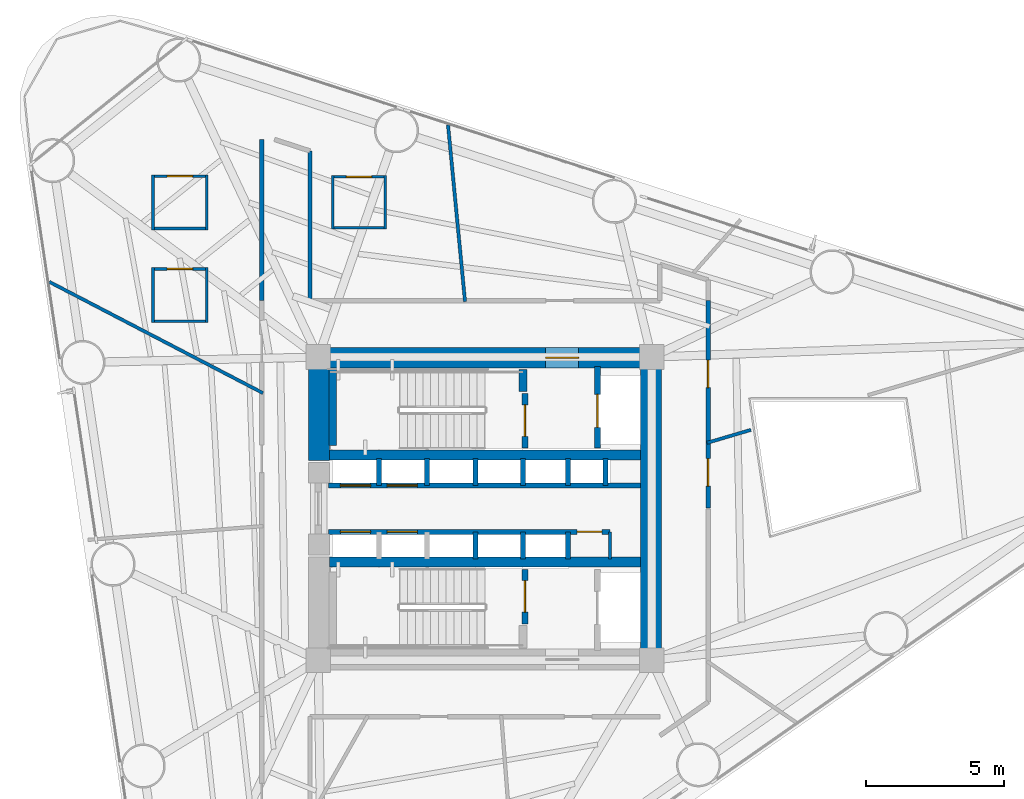
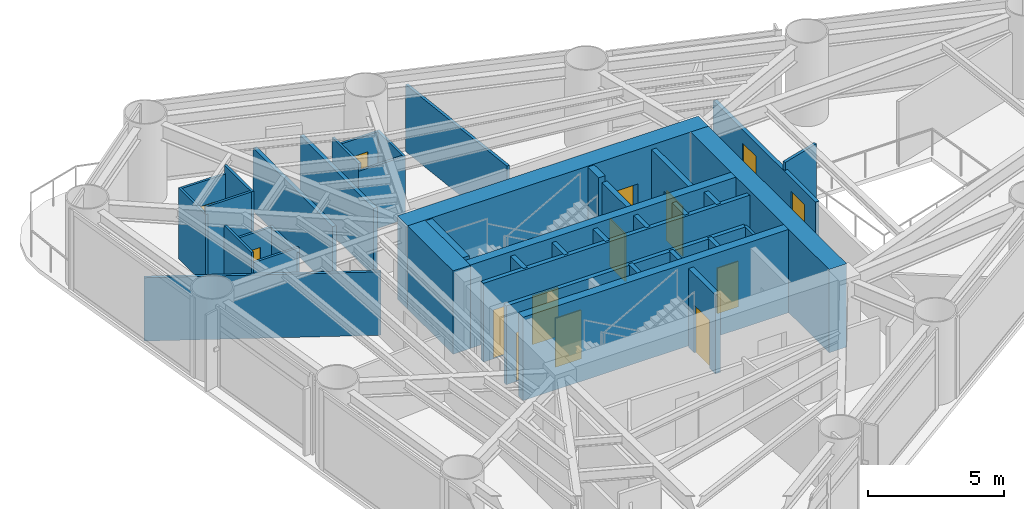
# One storey, part 6 of 9: 40 walls, 14 doors, 14 openings.
"""IFC4 building model written with IfcOpenShell, lengths in metres."""

from ifc_helpers import new_model, si_unit, direction, frame, frame_2d, origin, place, context, subcontext, project, spatial, rectangle, extrude, material, layer, layer_set, type_object, element, fill, save


model = new_model("IFC4")

# Units and contexts
model_context = context("Model", 3, precision=1e-05, world=origin(), true_north=direction((0.0, 1.0)))
body_context = subcontext(model_context, "Body", "Model", "MODEL_VIEW")
ifc_project = project(units=[si_unit("LENGTHUNIT", "METRE"), si_unit("AREAUNIT", "SQUARE_METRE"), si_unit("VOLUMEUNIT", "CUBIC_METRE"), si_unit("PLANEANGLEUNIT", "RADIAN"), si_unit("MASSUNIT", "GRAM", prefix="KILO")], contexts=[model_context])

# Site, building, storey
site_placement = place(None, origin())
site = spatial("IfcSite", under=ifc_project, at=site_placement, CompositionType="ELEMENT")
building_placement = place(site_placement, origin())
building = spatial("IfcBuilding", under=site, at=building_placement, Name="Yunling Apex Tower", CompositionType="ELEMENT")
storey_placement = place(building_placement, frame((0.0, 0.0, 69.800048828125)))
storey = spatial("IfcBuildingStorey", under=building, at=storey_placement, Name="L18", CompositionType="ELEMENT", Elevation=69.800048828125)

# Wall, opening, door
ifc_material_1 = material(Name="Concrete C60", Category="concrete")
ifc_layer_1 = layer(ifc_material_1, 0.75)
ifc_layer_set_1 = layer_set([ifc_layer_1], Name="Concrete C60")
wall_type_1 = type_object("IfcWallType", Name="WL-COR-1", PredefinedType="SHEAR", material=ifc_layer_set_1)
wall_1_placement = place(storey_placement, frame((-6.39990234375, 5.47509765625, 0.0), z_axis=(0.0, 0.0, 1.0), x_axis=(1.0, 0.0, 0.0)))
wall_1 = element("IfcWall", 1, at=wall_1_placement, inside=storey, type_object=wall_type_1, Name="L18 North Core Shear Wall", PredefinedType="SHEAR", context=body_context, shape_type="SweptSolid", body=[
    extrude(rectangle(XDim=12.7998046875, YDim=0.75, at=frame_2d((6.39990234375, 0.0))), origin(), (0.0, 0.0, 1.0), 3.75),
])
opening_1_placement = place(wall_1_placement, frame((8.60009765625, 0.0, 0.0)))
opening_1 = element("IfcOpeningElement", 2, at=opening_1_placement, cuts=wall_1, Name="Opening DR-FFL-1", PredefinedType="OPENING", context=body_context, shape_type="SweptSolid", body=[
    extrude(rectangle(XDim=1.199951171875, YDim=2.199951171875, at=frame_2d((0.60009765625, 1.10009765625))), frame((0.0, 0.385009765625, 0.0), z_axis=(0.0, -1.0, 0.0), x_axis=(1.0, 0.0, 0.0)), (0.0, 0.0, 1.0), 0.77001953125),
])
ifc_material_2 = material(Name="Steel Q355B", Category="steel")
door_type_1 = type_object("IfcDoorType", Name="DR-FFL-1", OperationType="NOTDEFINED", PredefinedType="DOOR", material=ifc_material_2)
door_1_placement = place(opening_1_placement, origin())
door_1 = element("IfcDoor", 3, at=door_1_placement, inside=storey, type_object=door_type_1, Name="L18 North Firefighting Lobby Door", OperationType="SINGLE_SWING_LEFT", OverallHeight=2.199951171875, OverallWidth=1.199951171875, PredefinedType="DOOR", context=body_context, shape_type="SweptSolid", body=[
    extrude(rectangle(XDim=1.199951171875, YDim=2.199951171875, at=frame_2d((0.60009765625, 1.10009765625))), frame((0.0, 0.02490234375, 0.0), z_axis=(0.0, -1.0, 0.0), x_axis=(1.0, 0.0, 0.0)), (0.0, 0.0, 1.0), 0.050048828125),
])
fill(opening_1, door_1)

# Walls
wall_2_placement = place(storey_placement, frame((6.02490234375, -5.10009765625, 0.0), z_axis=(0.0, 0.0, 1.0), x_axis=(0.0, 1.0, 0.0)))
element("IfcWall", 4, at=wall_2_placement, inside=storey, type_object=wall_type_1, Name="L18 East Core Shear Wall", PredefinedType="SHEAR", context=body_context, shape_type="SweptSolid", body=[
    extrude(rectangle(XDim=10.2001953125, YDim=0.75, at=frame_2d((5.10009765625, 0.0))), origin(), (0.0, 0.0, 1.0), 3.75),
])
wall_3_placement = place(storey_placement, frame((-6.02490234375, 1.75, 0.0), z_axis=(0.0, 0.0, 1.0), x_axis=(0.0, 1.0, 0.0)))
element("IfcWall", 5, at=wall_3_placement, inside=storey, type_object=wall_type_1, Name="L18 West-North Core Shear Wall", PredefinedType="SHEAR", context=body_context, shape_type="SweptSolid", body=[
    extrude(rectangle(XDim=3.35009765625, YDim=0.75, at=frame_2d((1.675048828125, 0.0))), origin(), (0.0, 0.0, 1.0), 3.75),
])
ifc_material_3 = material(Name="Concrete C40", Category="concrete")
ifc_layer_2 = layer(ifc_material_3, 0.360107421875)
ifc_layer_set_2 = layer_set([ifc_layer_2], Name="Concrete C40")
wall_type_2 = type_object("IfcWallType", Name="WL-COR-4", PredefinedType="SHEAR", material=ifc_layer_set_2)
for number, where, z_axis, x_axis, name in (
    (6, (-5.64990234375, 1.93994140625, 0.0), (0.0, 0.0, 1.0), (1.0, 0.0, 0.0), "L18 North Internal Core Shear Wall"),
    (7, (-5.64990234375, -1.93994140625, 0.0), (0.0, 0.0, 1.0), (1.0, 0.0, 0.0), "L18 South Internal Core Shear Wall"),
):
    element("IfcWall", number, at=place(storey_placement, frame(where, z_axis=z_axis, x_axis=x_axis)), inside=storey, type_object=wall_type_2, Name=name, PredefinedType="SHEAR", context=body_context, shape_type="SweptSolid", body=[
        extrude(rectangle(XDim=11.2998046875, YDim=0.360107421875, at=frame_2d((5.64990234375, 0.0))), origin(), (0.0, 0.0, 1.0), 3.75),
    ])
ifc_layer_3 = layer(ifc_material_3, 0.280029296875)
ifc_layer_set_3 = layer_set([ifc_layer_3], Name="Concrete C40")
wall_type_3 = type_object("IfcWallType", Name="WL-COR-8", PredefinedType="SHEAR", material=ifc_layer_set_3)
wall_4_placement = place(storey_placement, frame((-5.52001953125, 2.300048828125, 0.0), z_axis=(0.0, 0.0, 1.0), x_axis=(0.0, 1.0, 0.0)))
element("IfcWall", 8, at=wall_4_placement, inside=storey, type_object=wall_type_3, Name="L18 ST-1 West Landing Bearing Wall", PredefinedType="SHEAR", context=body_context, shape_type="SweptSolid", body=[
    extrude(rectangle(XDim=2.75, YDim=0.280029296875, at=frame_2d((1.375, 0.0))), origin(), (0.0, 0.0, 1.0), 3.75),
])
wall_5_placement = place(storey_placement, frame((1.3798828125, 4.25, 0.0), z_axis=(0.0, 0.0, 1.0), x_axis=(0.0, 1.0, 0.0)))
element("IfcWall", 9, at=wall_5_placement, inside=storey, type_object=wall_type_3, Name="L18 ST-1 East Landing Bearing Pier", PredefinedType="SHEAR", context=body_context, shape_type="SweptSolid", body=[
    extrude(rectangle(XDim=0.800048828125, YDim=0.280029296875, at=frame_2d((0.39990234375, 0.0))), origin(), (0.0, 0.0, 1.0), 3.75),
])
ifc_material_4 = material(Name="Gypsum board acoustic partition")
ifc_layer_4 = layer(ifc_material_4, 0.159912109375)
ifc_layer_set_4 = layer_set([ifc_layer_4], Name="Gypsum board acoustic partition")
wall_type_4 = type_object("IfcWallType", Name="WL-PRT-1", PredefinedType="PARTITIONING", material=ifc_layer_set_4)
wall_6_placement = place(storey_placement, frame((-8.10009765625, 7.550048828125, 0.0), z_axis=(0.0, 0.0, 1.0), x_axis=(0.0, 1.0, 0.0)))
element("IfcWall", 10, at=wall_6_placement, inside=storey, type_object=wall_type_4, Name="WL-CORR-L18-03", PredefinedType="PARTITIONING", context=body_context, shape_type="SweptSolid", body=[
    extrude(rectangle(XDim=5.849853515625, YDim=0.159912109375, at=frame_2d((2.9248046875, 0.0))), origin(), (0.0, 0.0, 1.0), 2.849853515625),
])
wall_7_placement = place(storey_placement, frame((-6.35009765625, 12.9814453125, 0.0), z_axis=(0.0, 0.0, 1.0), x_axis=(0.0, -1.0, 0.0)))
element("IfcWall", 11, at=wall_7_placement, inside=storey, type_object=wall_type_4, Name="WL-CORR-L18-06", PredefinedType="PARTITIONING", context=body_context, shape_type="SweptSolid", body=[
    extrude(rectangle(XDim=5.431396484375, YDim=0.159912109375, at=frame_2d((2.7158203125, 0.0))), origin(), (0.0, 0.0, 1.0), 3.050048828125),
])

# Wall, openings, doors
wall_8_placement = place(storey_placement, frame((8.10009765625, 7.550048828125, 0.0), z_axis=(0.0, 0.0, 1.0), x_axis=(0.0, -1.0, 0.0)))
wall_8 = element("IfcWall", 12, at=wall_8_placement, inside=storey, type_object=wall_type_4, Name="WL-CORR-L18-11", PredefinedType="PARTITIONING", context=body_context, shape_type="SweptSolid", body=[
    extrude(rectangle(XDim=7.530029296875, YDim=0.159912109375, at=frame_2d((3.76513671875, 0.0))), origin(), (0.0, 0.0, 1.0), 2.849853515625),
])
opening_2_placement = place(wall_8_placement, frame((2.156005859375, 0.0, 0.0)))
opening_2 = element("IfcOpeningElement", 13, at=opening_2_placement, cuts=wall_8, Name="Opening DR-OFF-1", PredefinedType="OPENING", context=body_context, shape_type="SweptSolid", body=[
    extrude(rectangle(XDim=1.0, YDim=2.25, at=frame_2d((0.5, 1.125))), frame((0.0, 0.08984375, 0.0), z_axis=(0.0, -1.0, 0.0), x_axis=(1.0, 0.0, 0.0)), (0.0, 0.0, 1.0), 0.179931640625),
])
opening_3_placement = place(wall_8_placement, frame((5.736083984375, 0.0, 0.0)))
opening_3 = element("IfcOpeningElement", 14, at=opening_3_placement, cuts=wall_8, Name="Opening DR-OFF-1", PredefinedType="OPENING", context=body_context, shape_type="SweptSolid", body=[
    extrude(rectangle(XDim=1.0, YDim=2.25, at=frame_2d((0.5, 1.125))), frame((0.0, 0.08984375, 0.0), z_axis=(0.0, -1.0, 0.0), x_axis=(1.0, 0.0, 0.0)), (0.0, 0.0, 1.0), 0.179931640625),
])
ifc_material_5 = material(Name="Bronze anodised aluminium", Category="aluminium")
door_type_2 = type_object("IfcDoorType", Name="DR-OFF-1", OperationType="NOTDEFINED", PredefinedType="DOOR", material=ifc_material_5)
door_2_placement = place(opening_2_placement, origin())
door_2 = element("IfcDoor", 15, at=door_2_placement, inside=storey, type_object=door_type_2, Name="L18 Open Plan Office Door", OperationType="SINGLE_SWING_RIGHT", OverallHeight=2.25, OverallWidth=1.0, PredefinedType="DOOR", context=body_context, shape_type="SweptSolid", body=[
    extrude(rectangle(XDim=1.0, YDim=2.25, at=frame_2d((0.5, 1.125))), frame((0.0, 0.02490234375, 0.0), z_axis=(0.0, -1.0, 0.0), x_axis=(1.0, 0.0, 0.0)), (0.0, 0.0, 1.0), 0.050048828125),
])
fill(opening_2, door_2)
door_3_placement = place(opening_3_placement, origin())
door_3 = element("IfcDoor", 16, at=door_3_placement, inside=storey, type_object=door_type_2, Name="L18 Business Reading Lounge Door", OperationType="SINGLE_SWING_LEFT", OverallHeight=2.25, OverallWidth=1.0, PredefinedType="DOOR", context=body_context, shape_type="SweptSolid", body=[
    extrude(rectangle(XDim=1.0, YDim=2.25, at=frame_2d((0.5, 1.125))), frame((0.0, 0.02490234375, 0.0), z_axis=(0.0, -1.0, 0.0), x_axis=(1.0, 0.0, 0.0)), (0.0, 0.0, 1.0), 0.050048828125),
])
fill(opening_3, door_3)

# Walls
ifc_layer_5 = layer(ifc_material_4, 0.1201171875)
ifc_layer_set_5 = layer_set([ifc_layer_5], Name="Gypsum board acoustic partition")
wall_type_5 = type_object("IfcWallType", Name="WL-PRT-3", PredefinedType="PARTITIONING", material=ifc_layer_set_5)
wall_9_placement = place(storey_placement, frame((-0.72314453125, 7.510009765625, 0.0), z_axis=(0.0, 0.0, 1.0), x_axis=(-0.095840941038, 0.995396661648, 0.0)))
element("IfcWall", 17, at=wall_9_placement, inside=storey, type_object=wall_type_5, Name="WL-RAD-L18-01", PredefinedType="PARTITIONING", context=body_context, shape_type="SweptSolid", body=[
    extrude(rectangle(XDim=6.442138671875, YDim=0.1201171875, at=frame_2d((3.22119140625, 0.0))), origin(), (0.0, 0.0, 1.0), 3.010009765625),
])
wall_10_placement = place(storey_placement, frame((-8.06005859375, 4.19580078125, 0.0), z_axis=(0.0, 0.0, 1.0), x_axis=(-0.887015422537, 0.461739797052, 0.0)))
element("IfcWall", 18, at=wall_10_placement, inside=storey, type_object=wall_type_5, Name="WL-RAD-L18-02", PredefinedType="PARTITIONING", context=body_context, shape_type="SweptSolid", body=[
    extrude(rectangle(XDim=8.737548828125, YDim=0.1201171875, at=frame_2d((4.36865234375, 0.0))), origin(), (0.0, 0.0, 1.0), 2.849853515625),
])
wall_11_placement = place(storey_placement, frame((8.06005859375, 2.387451171875, 0.0), z_axis=(0.0, 0.0, 1.0), x_axis=(0.958783289971, 0.28413835164, 0.0)))
element("IfcWall", 19, at=wall_11_placement, inside=storey, type_object=wall_type_5, Name="WL-RAD-L18-08", PredefinedType="PARTITIONING", context=body_context, shape_type="SweptSolid", body=[
    extrude(rectangle(XDim=1.661865234375, YDim=0.1201171875, at=frame_2d((0.8310546875, 0.0))), origin(), (0.0, 0.0, 1.0), 3.2099609375),
])
ifc_layer_6 = layer(ifc_material_4, 0.10009765625)
ifc_layer_set_6 = layer_set([ifc_layer_6], Name="Gypsum board acoustic partition")
wall_type_6 = type_object("IfcWallType", Name="WL-PRT-4", PredefinedType="PARTITIONING", material=ifc_layer_set_6)
wall_12_placement = place(storey_placement, frame((4.5400390625, -1.820068359375, 0.0), z_axis=(0.0, 0.0, 1.0), x_axis=(0.0, 1.0, 0.0)))
element("IfcWall", 20, at=wall_12_placement, inside=storey, type_object=wall_type_6, Name="WL-KASE-E-L18", PredefinedType="PARTITIONING", context=body_context, shape_type="SweptSolid", body=[
    extrude(rectangle(XDim=0.97998046875, YDim=0.10009765625, at=frame_2d((0.489990234375, 0.0))), origin(), (0.0, 0.0, 1.0), 3.544921875),
])

# Wall, opening, door
wall_13_placement = place(storey_placement, frame((-12.096923828125, 12.06689453125, 0.0), z_axis=(0.0, 0.0, 1.0), x_axis=(1.0, 0.0, 0.0)))
wall_13 = element("IfcWall", 21, at=wall_13_placement, inside=storey, type_object=wall_type_6, Name="WL-L18-WCMN", PredefinedType="PARTITIONING", context=body_context, shape_type="SweptSolid", body=[
    extrude(rectangle(XDim=2.0498046875, YDim=0.10009765625, at=frame_2d((1.02490234375, 0.0))), origin(), (0.0, 0.0, 1.0), 3.199951171875),
])
opening_4_placement = place(wall_13_placement, frame((0.56494140625, 0.0, 0.0)))
opening_4 = element("IfcOpeningElement", 22, at=opening_4_placement, cuts=wall_13, Name="Opening DR-WC-1", PredefinedType="OPENING", context=body_context, shape_type="SweptSolid", body=[
    extrude(rectangle(XDim=0.919921875, YDim=2.10009765625, at=frame_2d((0.4599609375, 1.050048828125))), frame((0.0, 0.06005859375, 0.0), z_axis=(0.0, -1.0, 0.0), x_axis=(1.0, 0.0, 0.0)), (0.0, 0.0, 1.0), 0.1201171875),
])
ifc_material_6 = material(Name="Timber moisture-resistant leaf", Category="wood")
door_type_3 = type_object("IfcDoorType", Name="DR-WC-1", OperationType="NOTDEFINED", PredefinedType="DOOR", material=ifc_material_6)
door_4_placement = place(opening_4_placement, origin())
door_4 = element("IfcDoor", 23, at=door_4_placement, inside=storey, type_object=door_type_3, Name="L18 Male Toilet Door", OperationType="SINGLE_SWING_LEFT", OverallHeight=2.10009765625, OverallWidth=0.919921875, PredefinedType="DOOR", context=body_context, shape_type="SweptSolid", body=[
    extrude(rectangle(XDim=0.919921875, YDim=2.10009765625, at=frame_2d((0.4599609375, 1.050048828125))), frame((0.0, 0.02490234375, 0.0), z_axis=(0.0, -1.0, 0.0), x_axis=(1.0, 0.0, 0.0)), (0.0, 0.0, 1.0), 0.050048828125),
])
fill(opening_4, door_4)

# Walls
wall_14_placement = place(storey_placement, frame((-10.047119140625, 10.1669921875, 0.0), z_axis=(0.0, 0.0, 1.0), x_axis=(-1.0, 0.0, 0.0)))
element("IfcWall", 24, at=wall_14_placement, inside=storey, type_object=wall_type_6, Name="WL-L18-WCMS", PredefinedType="PARTITIONING", context=body_context, shape_type="SweptSolid", body=[
    extrude(rectangle(XDim=2.0498046875, YDim=0.10009765625, at=frame_2d((1.02490234375, 0.0))), origin(), (0.0, 0.0, 1.0), 3.544921875),
])
wall_15_placement = place(storey_placement, frame((-10.096923828125, 12.116943359375, 0.0), z_axis=(0.0, 0.0, 1.0), x_axis=(0.0, -1.0, 0.0)))
element("IfcWall", 25, at=wall_15_placement, inside=storey, type_object=wall_type_6, Name="WL-L18-WCME", PredefinedType="PARTITIONING", context=body_context, shape_type="SweptSolid", body=[
    extrude(rectangle(XDim=2.0, YDim=0.10009765625, at=frame_2d((1.0, 0.0))), origin(), (0.0, 0.0, 1.0), 3.544921875),
])
wall_16_placement = place(storey_placement, frame((-12.047119140625, 10.116943359375, 0.0), z_axis=(0.0, 0.0, 1.0), x_axis=(0.0, 1.0, 0.0)))
element("IfcWall", 26, at=wall_16_placement, inside=storey, type_object=wall_type_6, Name="WL-L18-WCMW", PredefinedType="PARTITIONING", context=body_context, shape_type="SweptSolid", body=[
    extrude(rectangle(XDim=2.0, YDim=0.10009765625, at=frame_2d((1.0, 0.0))), origin(), (0.0, 0.0, 1.0), 3.199951171875),
])

# Wall, opening, door
wall_17_placement = place(storey_placement, frame((-12.096923828125, 8.700927734375, 0.0), z_axis=(0.0, 0.0, 1.0), x_axis=(1.0, 0.0, 0.0)))
wall_17 = element("IfcWall", 27, at=wall_17_placement, inside=storey, type_object=wall_type_6, Name="WL-L18-WCFN", PredefinedType="PARTITIONING", context=body_context, shape_type="SweptSolid", body=[
    extrude(rectangle(XDim=2.0498046875, YDim=0.10009765625, at=frame_2d((1.02490234375, 0.0))), origin(), (0.0, 0.0, 1.0), 2.849853515625),
])
opening_5_placement = place(wall_17_placement, frame((0.56494140625, 0.0, 0.0)))
opening_5 = element("IfcOpeningElement", 28, at=opening_5_placement, cuts=wall_17, Name="Opening DR-WC-1", PredefinedType="OPENING", context=body_context, shape_type="SweptSolid", body=[
    extrude(rectangle(XDim=0.919921875, YDim=2.10009765625, at=frame_2d((0.4599609375, 1.050048828125))), frame((0.0, 0.06005859375, 0.0), z_axis=(0.0, -1.0, 0.0), x_axis=(1.0, 0.0, 0.0)), (0.0, 0.0, 1.0), 0.1201171875),
])
door_5_placement = place(opening_5_placement, origin())
door_5 = element("IfcDoor", 29, at=door_5_placement, inside=storey, type_object=door_type_3, Name="L18 Female Toilet Door", OperationType="SINGLE_SWING_RIGHT", OverallHeight=2.10009765625, OverallWidth=0.919921875, PredefinedType="DOOR", context=body_context, shape_type="SweptSolid", body=[
    extrude(rectangle(XDim=0.919921875, YDim=2.10009765625, at=frame_2d((0.4599609375, 1.050048828125))), frame((0.0, 0.02490234375, 0.0), z_axis=(0.0, -1.0, 0.0), x_axis=(1.0, 0.0, 0.0)), (0.0, 0.0, 1.0), 0.050048828125),
])
fill(opening_5, door_5)

# Walls
wall_18_placement = place(storey_placement, frame((-10.047119140625, 6.801025390625, 0.0), z_axis=(0.0, 0.0, 1.0), x_axis=(-1.0, 0.0, 0.0)))
element("IfcWall", 30, at=wall_18_placement, inside=storey, type_object=wall_type_6, Name="WL-L18-WCFS", PredefinedType="PARTITIONING", context=body_context, shape_type="SweptSolid", body=[
    extrude(rectangle(XDim=2.0498046875, YDim=0.10009765625, at=frame_2d((1.02490234375, 0.0))), origin(), (0.0, 0.0, 1.0), 3.050048828125),
])
wall_19_placement = place(storey_placement, frame((-10.096923828125, 8.7509765625, 0.0), z_axis=(0.0, 0.0, 1.0), x_axis=(0.0, -1.0, 0.0)))
element("IfcWall", 31, at=wall_19_placement, inside=storey, type_object=wall_type_6, Name="WL-L18-WCFE", PredefinedType="PARTITIONING", context=body_context, shape_type="SweptSolid", body=[
    extrude(rectangle(XDim=2.0, YDim=0.10009765625, at=frame_2d((1.0, 0.0))), origin(), (0.0, 0.0, 1.0), 2.849853515625),
])
wall_20_placement = place(storey_placement, frame((-12.047119140625, 6.7509765625, 0.0), z_axis=(0.0, 0.0, 1.0), x_axis=(0.0, 1.0, 0.0)))
element("IfcWall", 32, at=wall_20_placement, inside=storey, type_object=wall_type_6, Name="WL-L18-WCFW", PredefinedType="PARTITIONING", context=body_context, shape_type="SweptSolid", body=[
    extrude(rectangle(XDim=2.0, YDim=0.10009765625, at=frame_2d((1.0, 0.0))), origin(), (0.0, 0.0, 1.0), 3.544921875),
])

# Wall, opening, door
wall_21_placement = place(storey_placement, frame((-5.572021484375, 12.0419921875, 0.0), z_axis=(0.0, 0.0, 1.0), x_axis=(1.0, 0.0, 0.0)))
wall_21 = element("IfcWall", 33, at=wall_21_placement, inside=storey, type_object=wall_type_6, Name="WL-L18-WCAN", PredefinedType="PARTITIONING", context=body_context, shape_type="SweptSolid", body=[
    extrude(rectangle(XDim=2.0, YDim=0.10009765625, at=frame_2d((1.0, 0.0))), origin(), (0.0, 0.0, 1.0), 2.849853515625),
])
opening_6_placement = place(wall_21_placement, frame((0.5400390625, 0.0, 0.0)))
opening_6 = element("IfcOpeningElement", 34, at=opening_6_placement, cuts=wall_21, Name="Opening DR-WC-1", PredefinedType="OPENING", context=body_context, shape_type="SweptSolid", body=[
    extrude(rectangle(XDim=0.919921875, YDim=2.10009765625, at=frame_2d((0.4599609375, 1.050048828125))), frame((0.0, 0.06005859375, 0.0), z_axis=(0.0, -1.0, 0.0), x_axis=(1.0, 0.0, 0.0)), (0.0, 0.0, 1.0), 0.1201171875),
])
door_6_placement = place(opening_6_placement, origin())
door_6 = element("IfcDoor", 35, at=door_6_placement, inside=storey, type_object=door_type_3, Name="L18 Accessible WC Door", OperationType="SINGLE_SWING_LEFT", OverallHeight=2.10009765625, OverallWidth=0.919921875, PredefinedType="DOOR", context=body_context, shape_type="SweptSolid", body=[
    extrude(rectangle(XDim=0.919921875, YDim=2.10009765625, at=frame_2d((0.4599609375, 1.050048828125))), frame((0.0, 0.02490234375, 0.0), z_axis=(0.0, -1.0, 0.0), x_axis=(1.0, 0.0, 0.0)), (0.0, 0.0, 1.0), 0.050048828125),
])
fill(opening_6, door_6)

# Walls
wall_22_placement = place(storey_placement, frame((-3.572021484375, 10.19189453125, 0.0), z_axis=(0.0, 0.0, 1.0), x_axis=(-1.0, 0.0, 0.0)))
element("IfcWall", 36, at=wall_22_placement, inside=storey, type_object=wall_type_6, Name="WL-L18-WCAS", PredefinedType="PARTITIONING", context=body_context, shape_type="SweptSolid", body=[
    extrude(rectangle(XDim=2.0, YDim=0.10009765625, at=frame_2d((1.0, 0.0))), origin(), (0.0, 0.0, 1.0), 2.849853515625),
])
wall_23_placement = place(storey_placement, frame((-3.6220703125, 12.092041015625, 0.0), z_axis=(0.0, 0.0, 1.0), x_axis=(0.0, -1.0, 0.0)))
element("IfcWall", 37, at=wall_23_placement, inside=storey, type_object=wall_type_6, Name="WL-L18-WCAE", PredefinedType="PARTITIONING", context=body_context, shape_type="SweptSolid", body=[
    extrude(rectangle(XDim=1.949951171875, YDim=0.10009765625, at=frame_2d((0.97509765625, 0.0))), origin(), (0.0, 0.0, 1.0), 2.849853515625),
])
wall_24_placement = place(storey_placement, frame((-5.52197265625, 10.14208984375, 0.0), z_axis=(0.0, 0.0, 1.0), x_axis=(0.0, 1.0, 0.0)))
element("IfcWall", 38, at=wall_24_placement, inside=storey, type_object=wall_type_6, Name="WL-L18-WCAW", PredefinedType="PARTITIONING", context=body_context, shape_type="SweptSolid", body=[
    extrude(rectangle(XDim=1.949951171875, YDim=0.10009765625, at=frame_2d((0.97509765625, 0.0))), origin(), (0.0, 0.0, 1.0), 3.199951171875),
])

# Wall, opening, door
ifc_material_7 = material(Name="Autoclaved aerated concrete masonry", Category="masonry")
ifc_layer_7 = layer(ifc_material_7, 0.219970703125)
ifc_layer_set_7 = layer_set([ifc_layer_7], Name="Autoclaved aerated concrete masonry")
wall_type_7 = type_object("IfcWallType", Name="WL-SHF-1", PredefinedType="PLUMBINGWALL", material=ifc_layer_set_7)
wall_25_placement = place(storey_placement, frame((1.449951171875, 2.199951171875, 0.0), z_axis=(0.0, 0.0, 1.0), x_axis=(0.0, 1.0, 0.0)))
wall_25 = element("IfcWall", 39, at=wall_25_placement, inside=storey, type_object=wall_type_7, Name="WL-ST1-E-L18", PredefinedType="PLUMBINGWALL", context=body_context, shape_type="SweptSolid", body=[
    extrude(rectangle(XDim=1.97998046875, YDim=0.219970703125, at=frame_2d((0.989990234375, 0.0))), origin(), (0.0, 0.0, 1.0), 3.544921875),
])
opening_7_placement = place(wall_25_placement, frame((0.419921875, 0.0, 0.0)))
opening_7 = element("IfcOpeningElement", 40, at=opening_7_placement, cuts=wall_25, Name="Opening DR-ST-1", PredefinedType="OPENING", context=body_context, shape_type="SweptSolid", body=[
    extrude(rectangle(XDim=1.14990234375, YDim=2.14990234375, at=frame_2d((0.574951171875, 1.074951171875))), frame((0.0, 0.1201171875, 0.0), z_axis=(0.0, -1.0, 0.0), x_axis=(1.0, 0.0, 0.0)), (0.0, 0.0, 1.0), 0.239990234375),
])
door_type_4 = type_object("IfcDoorType", Name="DR-ST-1", OperationType="NOTDEFINED", PredefinedType="DOOR", material=ifc_material_2)
door_7_placement = place(opening_7_placement, origin())
door_7 = element("IfcDoor", 41, at=door_7_placement, inside=storey, type_object=door_type_4, Name="L18 Stair ST-1 Fire Door", OperationType="SINGLE_SWING_RIGHT", OverallHeight=2.14990234375, OverallWidth=1.14990234375, PredefinedType="DOOR", context=body_context, shape_type="SweptSolid", body=[
    extrude(rectangle(XDim=1.14990234375, YDim=2.14990234375, at=frame_2d((0.574951171875, 1.074951171875))), frame((0.0, 0.02490234375, 0.0), z_axis=(0.0, -1.0, 0.0), x_axis=(1.0, 0.0, 0.0)), (0.0, 0.0, 1.0), 0.050048828125),
])
fill(opening_7, door_7)

wall_26_placement = place(storey_placement, frame((4.080078125, 2.199951171875, 0.0), z_axis=(0.0, 0.0, 1.0), x_axis=(0.0, 1.0, 0.0)))
wall_26 = element("IfcWall", 42, at=wall_26_placement, inside=storey, type_object=wall_type_7, Name="WL-FFL1-W-L18", PredefinedType="PLUMBINGWALL", context=body_context, shape_type="SweptSolid", body=[
    extrude(rectangle(XDim=2.949951171875, YDim=0.219970703125, at=frame_2d((1.47509765625, 0.0))), origin(), (0.0, 0.0, 1.0), 3.544921875),
])
opening_8_placement = place(wall_26_placement, frame((0.75, 0.0, 0.0)))
opening_8 = element("IfcOpeningElement", 43, at=opening_8_placement, cuts=wall_26, Name="Opening LD-FFL-1", PredefinedType="OPENING", context=body_context, shape_type="SweptSolid", body=[
    extrude(rectangle(XDim=1.199951171875, YDim=2.25, at=frame_2d((0.60009765625, 1.125))), frame((0.0, 0.1201171875, 0.0), z_axis=(0.0, -1.0, 0.0), x_axis=(1.0, 0.0, 0.0)), (0.0, 0.0, 1.0), 0.239990234375),
])
door_type_5 = type_object("IfcDoorType", Name="LD-FFL-1", OperationType="DOUBLE_DOOR_SLIDING", PredefinedType="DOOR", material=ifc_material_2)
door_8_placement = place(opening_8_placement, origin())
door_8 = element("IfcDoor", 44, at=door_8_placement, inside=storey, type_object=door_type_5, Name="L18 Lift FFL-1 Landing Door", OperationType="DOUBLE_DOOR_SLIDING", OverallHeight=2.25, OverallWidth=1.199951171875, PredefinedType="DOOR", context=body_context, shape_type="SweptSolid", body=[
    extrude(rectangle(XDim=1.199951171875, YDim=2.25, at=frame_2d((0.60009765625, 1.125))), frame((0.0, 0.02490234375, 0.0), z_axis=(0.0, -1.0, 0.0), x_axis=(1.0, 0.0, 0.0)), (0.0, 0.0, 1.0), 0.050048828125),
])
fill(opening_8, door_8)

wall_27_placement = place(storey_placement, frame((1.449951171875, -4.179931640625, 0.0), z_axis=(0.0, 0.0, 1.0), x_axis=(0.0, 1.0, 0.0)))
wall_27 = element("IfcWall", 45, at=wall_27_placement, inside=storey, type_object=wall_type_7, Name="WL-ST2-E-L18", PredefinedType="PLUMBINGWALL", context=body_context, shape_type="SweptSolid", body=[
    extrude(rectangle(XDim=1.97998046875, YDim=0.219970703125, at=frame_2d((0.989990234375, 0.0))), origin(), (0.0, 0.0, 1.0), 3.544921875),
])
opening_9_placement = place(wall_27_placement, frame((0.419921875, 0.0, 0.0)))
opening_9 = element("IfcOpeningElement", 46, at=opening_9_placement, cuts=wall_27, Name="Opening DR-ST-1", PredefinedType="OPENING", context=body_context, shape_type="SweptSolid", body=[
    extrude(rectangle(XDim=1.14990234375, YDim=2.14990234375, at=frame_2d((0.574951171875, 1.074951171875))), frame((0.0, 0.1201171875, 0.0), z_axis=(0.0, -1.0, 0.0), x_axis=(1.0, 0.0, 0.0)), (0.0, 0.0, 1.0), 0.239990234375),
])
door_9_placement = place(opening_9_placement, origin())
door_9 = element("IfcDoor", 47, at=door_9_placement, inside=storey, type_object=door_type_4, Name="L18 Stair ST-2 Fire Door", OperationType="SINGLE_SWING_LEFT", OverallHeight=2.14990234375, OverallWidth=1.14990234375, PredefinedType="DOOR", context=body_context, shape_type="SweptSolid", body=[
    extrude(rectangle(XDim=1.14990234375, YDim=2.14990234375, at=frame_2d((0.574951171875, 1.074951171875))), frame((0.0, 0.02490234375, 0.0), z_axis=(0.0, -1.0, 0.0), x_axis=(1.0, 0.0, 0.0)), (0.0, 0.0, 1.0), 0.050048828125),
])
fill(opening_9, door_9)

# Walls
ifc_layer_8 = layer(ifc_material_7, 0.179931640625)
ifc_layer_set_8 = layer_set([ifc_layer_8], Name="Autoclaved aerated concrete masonry")
wall_type_8 = type_object("IfcWallType", Name="WL-SHF-2", PredefinedType="PLUMBINGWALL", material=ifc_layer_set_8)
for number, where, z_axis, x_axis, name in (
    (48, (-3.85009765625, 0.840087890625, 0.0), (0.0, 0.0, 1.0), (0.0, 1.0, 0.0), "WL-DIV-L12-L18"),
    (49, (-2.10009765625, 0.840087890625, 0.0), (0.0, 0.0, 1.0), (0.0, 1.0, 0.0), "WL-BNK-LM-N-L18"),
    (50, (-0.35009765625, 0.840087890625, 0.0), (0.0, 0.0, 1.0), (0.0, 1.0, 0.0), "WL-DIV-M12-L18"),
    (51, (-0.35009765625, -1.820068359375, 0.0), (0.0, 0.0, 1.0), (0.0, 1.0, 0.0), "WL-DIV-M34-L18"),
    (52, (1.3798828125, 0.840087890625, 0.0), (0.0, 0.0, 1.0), (0.0, 1.0, 0.0), "WL-BNK-MH-N-L18"),
    (53, (1.3798828125, -1.820068359375, 0.0), (0.0, 0.0, 1.0), (0.0, 1.0, 0.0), "WL-BNK-MH-S-L18"),
    (54, (3.02001953125, 0.840087890625, 0.0), (0.0, 0.0, 1.0), (0.0, 1.0, 0.0), "WL-DIV-H13-L18"),
    (55, (4.3798828125, 0.840087890625, 0.0), (0.0, 0.0, 1.0), (0.0, 1.0, 0.0), "WL-END-H3E-L18"),
    (56, (3.02001953125, -1.820068359375, 0.0), (0.0, 0.0, 1.0), (0.0, 1.0, 0.0), "WL-END-H2E-L18"),
):
    element("IfcWall", number, at=place(storey_placement, frame(where, z_axis=z_axis, x_axis=x_axis)), inside=storey, type_object=wall_type_8, Name=name, PredefinedType="PLUMBINGWALL", context=body_context, shape_type="SweptSolid", body=[
        extrude(rectangle(XDim=0.97998046875, YDim=0.179931640625, at=frame_2d((0.489990234375, 0.0))), origin(), (0.0, 0.0, 1.0), 3.544921875),
    ])

# Wall, openings, doors
wall_28_placement = place(storey_placement, frame((-5.679931640625, 0.840087890625, 0.0), z_axis=(0.0, 0.0, 1.0), x_axis=(1.0, 0.0, 0.0)))
wall_28 = element("IfcWall", 57, at=wall_28_placement, inside=storey, type_object=wall_type_8, Name="WL-LOB-N-L18", PredefinedType="PLUMBINGWALL", context=body_context, shape_type="SweptSolid", body=[
    extrude(rectangle(XDim=11.329833984375, YDim=0.179931640625, at=frame_2d((5.6650390625, 0.0))), origin(), (0.0, 0.0, 1.0), 3.544921875),
])
opening_10_placement = place(wall_28_placement, frame((0.429931640625, 0.0, 0.0)))
opening_10 = element("IfcOpeningElement", 58, at=opening_10_placement, cuts=wall_28, Name="Opening LD-PAS-1", PredefinedType="OPENING", context=body_context, shape_type="SweptSolid", body=[
    extrude(rectangle(XDim=1.10009765625, YDim=2.199951171875, at=frame_2d((0.550048828125, 1.10009765625))), frame((0.0, 0.10009765625, 0.0), z_axis=(0.0, -1.0, 0.0), x_axis=(1.0, 0.0, 0.0)), (0.0, 0.0, 1.0), 0.199951171875),
])
opening_11_placement = place(wall_28_placement, frame((2.1298828125, 0.0, 0.0)))
opening_11 = element("IfcOpeningElement", 59, at=opening_11_placement, cuts=wall_28, Name="Opening LD-PAS-1", PredefinedType="OPENING", context=body_context, shape_type="SweptSolid", body=[
    extrude(rectangle(XDim=1.10009765625, YDim=2.199951171875, at=frame_2d((0.550048828125, 1.10009765625))), frame((0.0, 0.10009765625, 0.0), z_axis=(0.0, -1.0, 0.0), x_axis=(1.0, 0.0, 0.0)), (0.0, 0.0, 1.0), 0.199951171875),
])
ifc_material_8 = material(Name="Silver anodised aluminium", Category="aluminium")
door_type_6 = type_object("IfcDoorType", Name="LD-PAS-1", OperationType="DOUBLE_DOOR_SLIDING", PredefinedType="DOOR", material=ifc_material_8)
door_10_placement = place(opening_10_placement, origin())
door_10 = element("IfcDoor", 60, at=door_10_placement, inside=storey, type_object=door_type_6, Name="L18 Lift PL-L1 Landing Door", OperationType="DOUBLE_DOOR_SLIDING", OverallHeight=2.199951171875, OverallWidth=1.10009765625, PredefinedType="DOOR", context=body_context, shape_type="SweptSolid", body=[
    extrude(rectangle(XDim=1.10009765625, YDim=2.199951171875, at=frame_2d((0.550048828125, 1.10009765625))), frame((0.0, 0.02490234375, 0.0), z_axis=(0.0, -1.0, 0.0), x_axis=(1.0, 0.0, 0.0)), (0.0, 0.0, 1.0), 0.050048828125),
])
fill(opening_10, door_10)
door_11_placement = place(opening_11_placement, origin())
door_11 = element("IfcDoor", 61, at=door_11_placement, inside=storey, type_object=door_type_6, Name="L18 Lift PL-L2 Landing Door", OperationType="DOUBLE_DOOR_SLIDING", OverallHeight=2.199951171875, OverallWidth=1.10009765625, PredefinedType="DOOR", context=body_context, shape_type="SweptSolid", body=[
    extrude(rectangle(XDim=1.10009765625, YDim=2.199951171875, at=frame_2d((0.550048828125, 1.10009765625))), frame((0.0, 0.02490234375, 0.0), z_axis=(0.0, -1.0, 0.0), x_axis=(1.0, 0.0, 0.0)), (0.0, 0.0, 1.0), 0.050048828125),
])
fill(opening_11, door_11)

wall_29_placement = place(storey_placement, frame((-5.679931640625, -0.840087890625, 0.0), z_axis=(0.0, 0.0, 1.0), x_axis=(1.0, 0.0, 0.0)))
wall_29 = element("IfcWall", 62, at=wall_29_placement, inside=storey, type_object=wall_type_8, Name="WL-LOB-S-L18", PredefinedType="PLUMBINGWALL", context=body_context, shape_type="SweptSolid", body=[
    extrude(rectangle(XDim=10.219970703125, YDim=0.179931640625, at=frame_2d((5.10986328125, 0.0))), origin(), (0.0, 0.0, 1.0), 3.544921875),
])
opening_12_placement = place(wall_29_placement, frame((0.429931640625, 0.0, 0.0)))
opening_12 = element("IfcOpeningElement", 63, at=opening_12_placement, cuts=wall_29, Name="Opening LD-PAS-1", PredefinedType="OPENING", context=body_context, shape_type="SweptSolid", body=[
    extrude(rectangle(XDim=1.10009765625, YDim=2.199951171875, at=frame_2d((0.550048828125, 1.10009765625))), frame((0.0, 0.10009765625, 0.0), z_axis=(0.0, -1.0, 0.0), x_axis=(1.0, 0.0, 0.0)), (0.0, 0.0, 1.0), 0.199951171875),
])
opening_13_placement = place(wall_29_placement, frame((2.1298828125, 0.0, 0.0)))
opening_13 = element("IfcOpeningElement", 64, at=opening_13_placement, cuts=wall_29, Name="Opening LD-PAS-1", PredefinedType="OPENING", context=body_context, shape_type="SweptSolid", body=[
    extrude(rectangle(XDim=1.10009765625, YDim=2.199951171875, at=frame_2d((0.550048828125, 1.10009765625))), frame((0.0, 0.10009765625, 0.0), z_axis=(0.0, -1.0, 0.0), x_axis=(1.0, 0.0, 0.0)), (0.0, 0.0, 1.0), 0.199951171875),
])
opening_14_placement = place(wall_29_placement, frame((9.02001953125, 0.0, 0.0)))
opening_14 = element("IfcOpeningElement", 65, at=opening_14_placement, cuts=wall_29, Name="Opening DR-SHF-1", PredefinedType="OPENING", context=body_context, shape_type="SweptSolid", body=[
    extrude(rectangle(XDim=0.89990234375, YDim=2.050048828125, at=frame_2d((0.449951171875, 1.02490234375))), frame((0.0, 0.10009765625, 0.0), z_axis=(0.0, -1.0, 0.0), x_axis=(1.0, 0.0, 0.0)), (0.0, 0.0, 1.0), 0.199951171875),
])
door_type_7 = type_object("IfcDoorType", Name="DR-SHF-1", OperationType="NOTDEFINED", PredefinedType="DOOR", material=ifc_material_2)
door_12_placement = place(opening_14_placement, origin())
door_12 = element("IfcDoor", 66, at=door_12_placement, inside=storey, type_object=door_type_7, Name="L18 Core Electrical Room Door", OperationType="SINGLE_SWING_RIGHT", OverallHeight=2.050048828125, OverallWidth=0.89990234375, PredefinedType="DOOR", context=body_context, shape_type="SweptSolid", body=[
    extrude(rectangle(XDim=0.89990234375, YDim=2.050048828125, at=frame_2d((0.449951171875, 1.02490234375))), frame((0.0, 0.02490234375, 0.0), z_axis=(0.0, -1.0, 0.0), x_axis=(1.0, 0.0, 0.0)), (0.0, 0.0, 1.0), 0.050048828125),
])
fill(opening_14, door_12)
door_13_placement = place(opening_12_placement, origin())
door_13 = element("IfcDoor", 67, at=door_13_placement, inside=storey, type_object=door_type_6, Name="L18 Lift PL-L3 Landing Door", OperationType="DOUBLE_DOOR_SLIDING", OverallHeight=2.199951171875, OverallWidth=1.10009765625, PredefinedType="DOOR", context=body_context, shape_type="SweptSolid", body=[
    extrude(rectangle(XDim=1.10009765625, YDim=2.199951171875, at=frame_2d((0.550048828125, 1.10009765625))), frame((0.0, 0.02490234375, 0.0), z_axis=(0.0, -1.0, 0.0), x_axis=(1.0, 0.0, 0.0)), (0.0, 0.0, 1.0), 0.050048828125),
])
fill(opening_12, door_13)
door_14_placement = place(opening_13_placement, origin())
door_14 = element("IfcDoor", 68, at=door_14_placement, inside=storey, type_object=door_type_6, Name="L18 Lift PL-L4 Landing Door", OperationType="DOUBLE_DOOR_SLIDING", OverallHeight=2.199951171875, OverallWidth=1.10009765625, PredefinedType="DOOR", context=body_context, shape_type="SweptSolid", body=[
    extrude(rectangle(XDim=1.10009765625, YDim=2.199951171875, at=frame_2d((0.550048828125, 1.10009765625))), frame((0.0, 0.02490234375, 0.0), z_axis=(0.0, -1.0, 0.0), x_axis=(1.0, 0.0, 0.0)), (0.0, 0.0, 1.0), 0.050048828125),
])
fill(opening_13, door_14)

save(model, "model.ifc")
